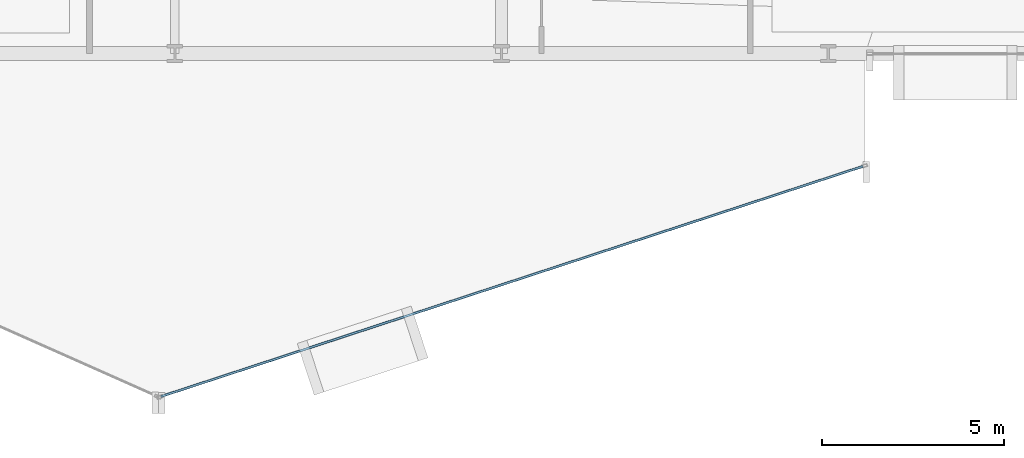
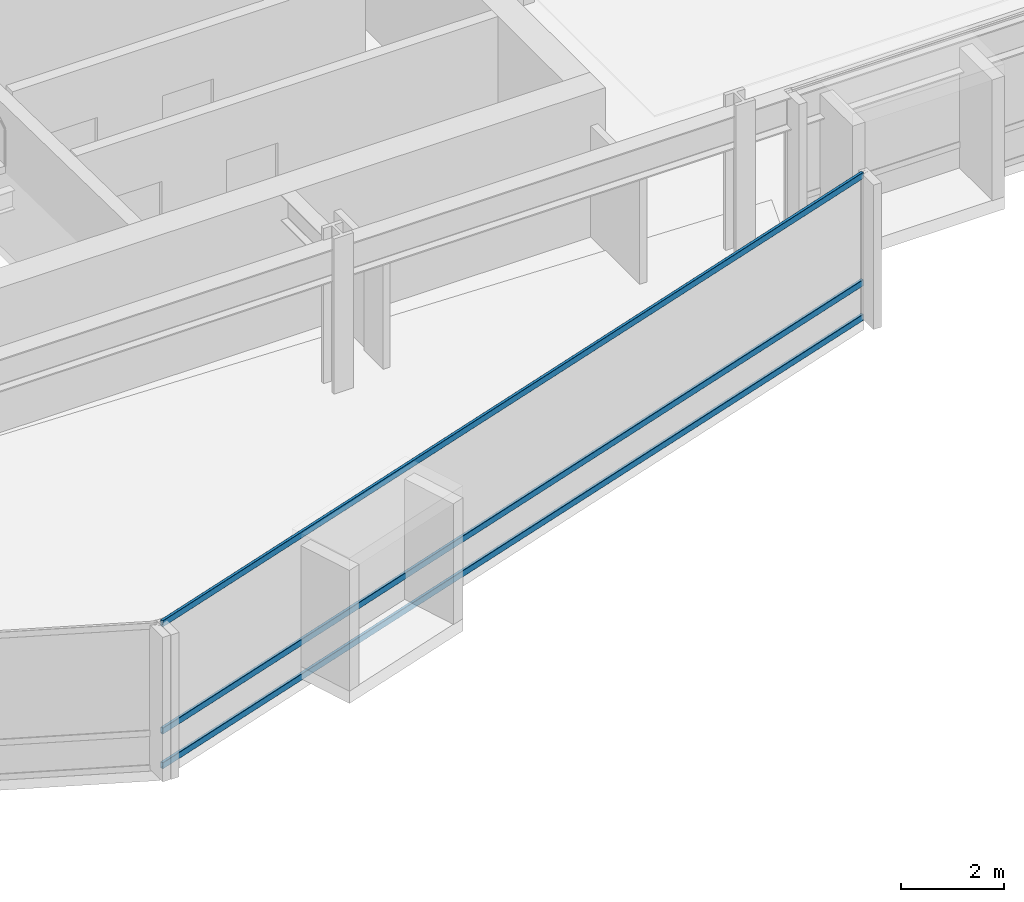
# One storey, part 9 of 34: 3 members, 1 element without a shape of its own.
"""IFC4 building model written with IfcOpenShell, lengths in metres."""

from ifc_helpers import new_model, si_unit, direction, frame, origin, origin_2d, place, context, subcontext, project, spatial, hollow_rectangle, extrude, material, layer, layer_set, material_profile, profile_set, type_object, element, aggregate, save


model = new_model("IFC4")

# Units and contexts
model_context = context("Model", 3, precision=1e-05, world=origin(), true_north=direction((0.0, 1.0)))
body_context = subcontext(model_context, "Body", "Model", "MODEL_VIEW")
ifc_project = project(units=[si_unit("LENGTHUNIT", "METRE"), si_unit("AREAUNIT", "SQUARE_METRE"), si_unit("VOLUMEUNIT", "CUBIC_METRE"), si_unit("PLANEANGLEUNIT", "RADIAN"), si_unit("MASSUNIT", "GRAM", prefix="KILO")], contexts=[model_context])

# Site, building, storey
site_placement = place(None, origin())
site = spatial("IfcSite", under=ifc_project, at=site_placement, CompositionType="ELEMENT")
building_placement = place(site_placement, origin())
building = spatial("IfcBuilding", under=site, at=building_placement, Name="Solvaryn Broadcast Tower", CompositionType="ELEMENT")
storey_placement = place(building_placement, frame((0.0, 0.0, 61.89990234375)))
storey = spatial("IfcBuildingStorey", under=building, at=storey_placement, Name="L14", CompositionType="ELEMENT", Elevation=61.89990234375)

# Curtain wall, members
ifc_material_1 = material(Name="Aluminium and Terracotta Unitised Curtain Wall", Category="masonry")
ifc_layer = layer(ifc_material_1, 0.199951171875)
ifc_layer_set = layer_set([ifc_layer], Name="CW-SYS2-LOWMID")
curtain_wall_type = type_object("IfcCurtainWallType", Name="CW-SYS2-LOWMID", PredefinedType="NOTDEFINED", material=ifc_layer_set)
curtain_wall_placement = place(storey_placement, origin())
curtain_wall = element("IfcCurtainWall", 1, at=curtain_wall_placement, inside=storey, type_object=curtain_wall_type, Name="L14 Curtain Wall DR4", PredefinedType="NOTDEFINED")
ifc_material_2 = material(Name="Anodised Aluminium 6063-T6", Category="aluminium")
ifc_material_profile = material_profile(ifc_material_2, hollow_rectangle(XDim=0.06494140625, YDim=0.14990234375, WallThickness=0.00390625, InnerFilletRadius=0.00390625, OuterFilletRadius=0.008056640625, at=origin_2d()))
ifc_profile_set = profile_set([ifc_material_profile], Name="Anodised Aluminium 6063-T6")
member_type = type_object("IfcMemberType", Name="CW-TRN-150", PredefinedType="USERDEFINED", material=ifc_profile_set)
member_1_placement = place(storey_placement, frame((26.616943359375, -0.4453125, 0.030029296875), z_axis=(0.950216792475, 0.311589549406, 0.0), x_axis=(-0.311589549406, 0.950216792475, 0.0)))
member_1 = element("IfcMember", 2, at=member_1_placement, type_object=member_type, Name="CWS2 transom 1.1", ObjectType="TRANSOM", PredefinedType="USERDEFINED", context=body_context, shape_type="SweptSolid", body=[
    extrude(hollow_rectangle(XDim=0.06494140625, YDim=0.14990234375, WallThickness=0.00390625, InnerFilletRadius=0.00390625, OuterFilletRadius=0.008056640625, at=origin_2d()), origin(), (0.0, 0.0, 1.0), 20.35546875),
])
member_2_placement = place(storey_placement, frame((26.616943359375, -0.4453125, 0.85009765625), z_axis=(0.950216792475, 0.311589549406, 0.0), x_axis=(-0.311589549406, 0.950216792475, 0.0)))
member_2 = element("IfcMember", 3, at=member_2_placement, type_object=member_type, Name="CWS2 transom 1.2", ObjectType="TRANSOM", PredefinedType="USERDEFINED", context=body_context, shape_type="SweptSolid", body=[
    extrude(hollow_rectangle(XDim=0.06494140625, YDim=0.14990234375, WallThickness=0.00390625, InnerFilletRadius=0.00390625, OuterFilletRadius=0.008056640625, at=origin_2d()), origin(), (0.0, 0.0, 1.0), 20.35546875),
])
member_3_placement = place(storey_placement, frame((26.616943359375, -0.4453125, 3.39013671875), z_axis=(0.950216792475, 0.311589549406, 0.0), x_axis=(-0.311589549406, 0.950216792475, 0.0)))
member_3 = element("IfcMember", 4, at=member_3_placement, type_object=member_type, Name="CWS2 transom 1.3", ObjectType="TRANSOM", PredefinedType="USERDEFINED", context=body_context, shape_type="SweptSolid", body=[
    extrude(hollow_rectangle(XDim=0.06494140625, YDim=0.14990234375, WallThickness=0.00390625, InnerFilletRadius=0.00390625, OuterFilletRadius=0.008056640625, at=origin_2d()), origin(), (0.0, 0.0, 1.0), 20.35546875),
])
aggregate(curtain_wall, [member_1, member_2, member_3])

save(model, "model.ifc")
